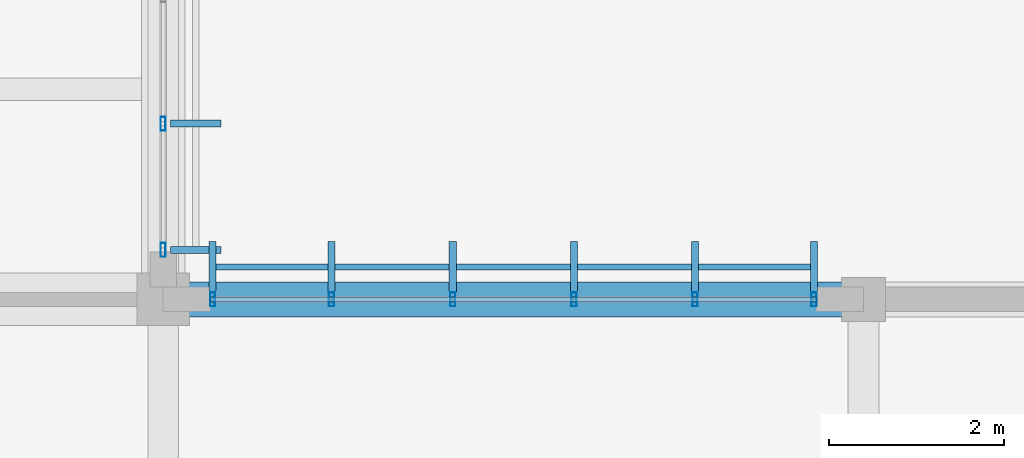
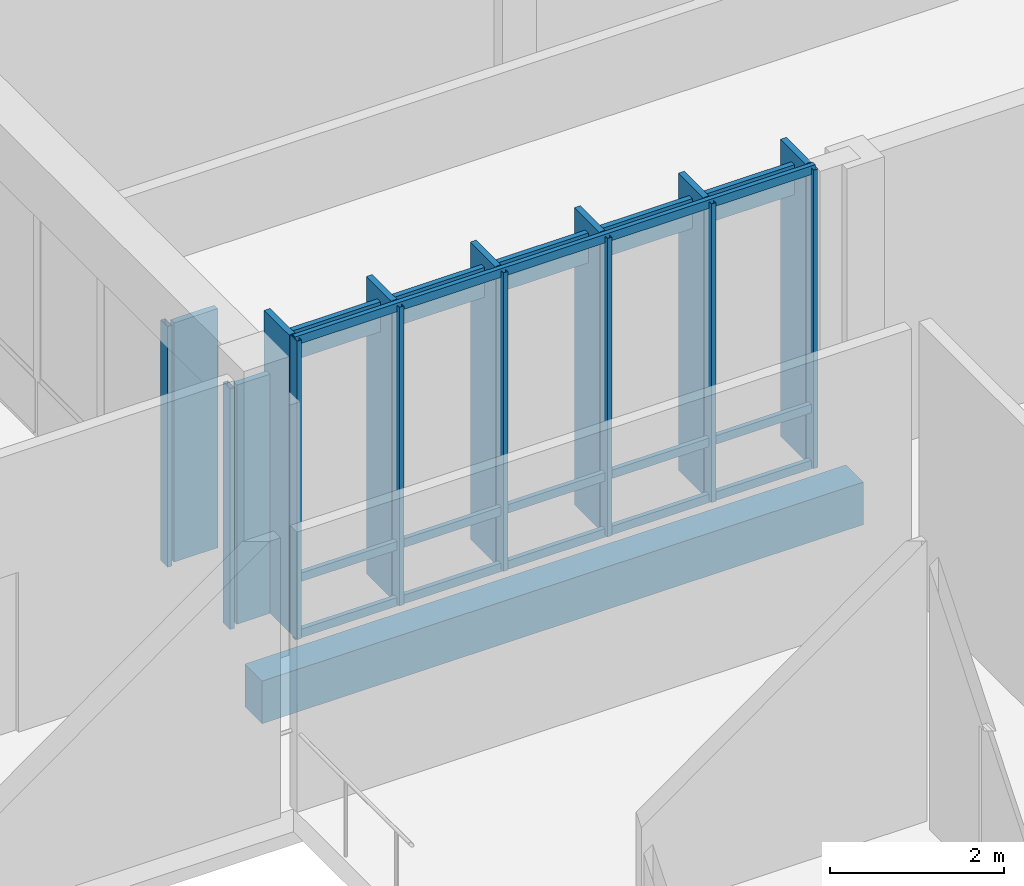
# One storey, part 23 of 182: 20 members, 1 beam, 2 elements without a shape of their own.
"""IFC4 building model written with IfcOpenShell, lengths in metres."""

import ifcopenshell
import ifcopenshell.guid

model = None  # the IFC model being written
_history = None  # IfcOwnerHistory: only IFC2X3 demands one
_inside = {}  # id of a spatial element -> (the spatial element, [elements in it])
_under = {}  # id of a project, library or spatial element -> (it, [spatial elements below it])
_declared = {}  # id of a project -> (the project, [libraries it declares])
_typed = {}  # id of a type object -> (the type object, [elements of that type])
_made_of = {}  # id of a material, layer set ... -> (it, [elements and type objects made of it])


def new_model(schema):
    """Start an empty IFC model of exactly this schema.

    Asked for "IFC4X3", IfcOpenShell would pick the latest addendum, in which some entities
    have other attributes; the version numbers below select the first issue.
    IFC2X3 requires an IfcOwnerHistory on every rooted entity: one is made here for all.
    """
    global model, _history
    if schema == "IFC4X3":
        model = ifcopenshell.file(schema_version=(4, 3, 0, 0))
    else:
        model = ifcopenshell.file(schema=schema)
    _inside.clear()
    _under.clear()
    _declared.clear()
    _typed.clear()
    _made_of.clear()
    _history = None
    if model.schema == "IFC2X3":
        org = make("IfcOrganization", Name="unknown")
        user = make(
            "IfcPersonAndOrganization",
            ThePerson=make("IfcPerson", FamilyName="unknown"),
            TheOrganization=org,
        )
        app = make(
            "IfcApplication",
            ApplicationDeveloper=org,
            Version="unknown",
            ApplicationFullName="unknown",
            ApplicationIdentifier="unknown",
        )
        _history = make(
            "IfcOwnerHistory",
            OwningUser=user,
            OwningApplication=app,
            ChangeAction="ADDED",
            CreationDate=0,
        )
    return model


def make(cls, **values):
    """One entity of the class cls with the attributes given. An attribute that is None is left unset."""
    return model.create_entity(
        cls, **{name: value for name, value in values.items() if value is not None}
    )


def rooted(cls, **values):
    """An entity with a GlobalId (a new one), such as an element, a storey or a relation."""
    return make(cls, GlobalId=ifcopenshell.guid.new(), OwnerHistory=_history, **values)


def si_unit(unit_type, name, prefix=None):
    """IfcSIUnit, for example si_unit("LENGTHUNIT", "METRE", prefix="MILLI")."""
    return make("IfcSIUnit", UnitType=unit_type, Prefix=prefix, Name=name)


def assignment(units):
    """IfcUnitAssignment: the units of a project."""
    return None if units is None else make("IfcUnitAssignment", Units=units)


def point(xyz):
    """IfcCartesianPoint."""
    return None if xyz is None else make("IfcCartesianPoint", Coordinates=xyz)


def direction(xyz):
    """IfcDirection."""
    return None if xyz is None else make("IfcDirection", DirectionRatios=xyz)


def frame(location, z_axis=None, x_axis=None):
    """IfcAxis2Placement3D, a coordinate frame: its origin and axes. An axis left out is left unset."""
    return make(
        "IfcAxis2Placement3D",
        Location=point(location),
        Axis=direction(z_axis),
        RefDirection=direction(x_axis),
    )


def frame_2d(location, x_axis=None):
    """IfcAxis2Placement2D, a coordinate frame in the plane: its origin and x axis."""
    return make(
        "IfcAxis2Placement2D", Location=point(location), RefDirection=direction(x_axis)
    )


def origin():
    """The frame at (0, 0, 0) with its axes left unset."""
    return frame((0.0, 0.0, 0.0))


def origin_2d():
    """The frame at (0, 0) in the plane with its x axis left unset."""
    return frame_2d((0.0, 0.0))


def place(relative_to, where):
    """IfcLocalPlacement: puts the frame where relative to a parent placement (None: the world)."""
    return make(
        "IfcLocalPlacement", PlacementRelTo=relative_to, RelativePlacement=where
    )


def context(
    kind, dimensions, precision=None, world=None, true_north=None, identifier=None
):
    """IfcGeometricRepresentationContext, for example the 3D "Model" context."""
    return make(
        "IfcGeometricRepresentationContext",
        ContextIdentifier=identifier,
        ContextType=kind,
        CoordinateSpaceDimension=dimensions,
        Precision=precision,
        WorldCoordinateSystem=world,
        TrueNorth=true_north,
    )


def subcontext(parent, identifier, kind, view, scale=None):
    """IfcGeometricRepresentationSubContext, for example "Body" below "Model"."""
    return make(
        "IfcGeometricRepresentationSubContext",
        ContextIdentifier=identifier,
        ContextType=kind,
        ParentContext=parent,
        TargetScale=scale,
        TargetView=view,
    )


def project(units=None, contexts=None):
    """IfcProject with its units and contexts."""
    return rooted(
        "IfcProject",
        Name="project",
        RepresentationContexts=contexts,
        UnitsInContext=assignment(units),
    )


def spatial(cls, under=None, at=None, **own):
    """A site, building, storey or space (cls), placed at a placement, below another one or the project."""
    s = rooted(cls, ObjectPlacement=at, **own)
    if under is not None:
        _under.setdefault(under.id(), (under, []))[1].append(s)
    return s


def profile(cls, at=None, kind="AREA", **sizes):
    """A parametric profile (cls). Its sizes go by their IFC names, for example OverallWidth=200.0."""
    return make(cls, ProfileType=kind, Position=at, **sizes)


def rectangle(**sizes):
    """IfcRectangleProfileDef."""
    return profile("IfcRectangleProfileDef", **sizes)


def hollow_rectangle(**sizes):
    """IfcRectangleHollowProfileDef."""
    return profile("IfcRectangleHollowProfileDef", **sizes)


def extrude(swept, where, along, depth):
    """IfcExtrudedAreaSolid: the profile swept, set in the frame where, extruded along a direction by depth."""
    return make(
        "IfcExtrudedAreaSolid",
        SweptArea=swept,
        Position=where,
        ExtrudedDirection=direction(along),
        Depth=depth,
    )


def shape(context_of_items, identifier, shape_type, items):
    """IfcShapeRepresentation: the items that make up one representation, for example the "Body"."""
    return make(
        "IfcShapeRepresentation",
        ContextOfItems=context_of_items,
        RepresentationIdentifier=identifier,
        RepresentationType=shape_type,
        Items=items,
    )


def material(Name=None, Category=None):
    """IfcMaterial."""
    return make("IfcMaterial", Name=Name, Category=Category)


def material_profile(
    of_material, cross_section, Name=None, Category=None, Priority=None
):
    """IfcMaterialProfile: a cross section and its material."""
    return make(
        "IfcMaterialProfile",
        Name=Name,
        Material=of_material,
        Profile=cross_section,
        Priority=Priority,
        Category=Category,
    )


def profile_set(profiles, Name=None, composite=None):
    """IfcMaterialProfileSet."""
    return make(
        "IfcMaterialProfileSet",
        Name=Name,
        MaterialProfiles=profiles,
        CompositeProfile=composite,
    )


def made_of(thing, what):
    """Note that an element or type object is made of a material, layer set ...; save() writes the relation."""
    if what is not None:
        _made_of.setdefault(what.id(), (what, []))[1].append(thing)
    return thing


def type_object(cls, material=None, **own):
    """A type object (cls), such as IfcWallType, which elements share."""
    return made_of(rooted(cls, **own), material)


def element(
    cls,
    number,
    at=None,
    inside=None,
    cuts=None,
    type_object=None,
    material=None,
    context=None,
    identifier="Body",
    shape_type=None,
    held_by="IfcProductDefinitionShape",
    body=None,
    shapes=None,
    **own,
):
    """One element of the class cls, such as IfcWall. Its Tag is "e" and its number.

    at: its placement. inside: the storey or other place that contains it. cuts: it is an
    opening in that element (IfcRelVoidsElement). A single representation is given by context,
    identifier, shape_type and body (its items); several are given by shapes. held_by: the class
    of the entity that holds the representations. save() writes the other relations.
    """
    e = rooted(cls, Tag="e%d" % number, ObjectPlacement=at, **own)
    if body is not None:
        shapes = [shape(context, identifier, shape_type, body)]
    if shapes is not None:
        e.Representation = make(held_by, Representations=shapes)
    if inside is not None:
        _inside.setdefault(inside.id(), (inside, []))[1].append(e)
    if cuts is not None:
        rooted(
            "IfcRelVoidsElement", RelatingBuildingElement=cuts, RelatedOpeningElement=e
        )
    if type_object is not None:
        _typed.setdefault(type_object.id(), (type_object, []))[1].append(e)
    return made_of(e, material)


def aggregate(whole, parts):
    """IfcRelAggregates: a whole, such as a stair, and the parts it consists of."""
    return rooted("IfcRelAggregates", RelatingObject=whole, RelatedObjects=parts)


def save(model, path):
    """Write the relations noted so far, then the file.

    IfcRelAggregates (storeys below a building ...), IfcRelContainedInSpatialStructure (elements
    in a storey), IfcRelDefinesByType, IfcRelAssociatesMaterial and IfcRelDeclares: one each for
    every whole, place, type object, material and project.
    """
    for whole, parts in _under.values():
        aggregate(whole, parts)
    for where, things in _inside.values():
        rooted(
            "IfcRelContainedInSpatialStructure",
            RelatedElements=things,
            RelatingStructure=where,
        )
    for kind, things in _typed.values():
        rooted("IfcRelDefinesByType", RelatedObjects=things, RelatingType=kind)
    for what, things in _made_of.values():
        rooted("IfcRelAssociatesMaterial", RelatedObjects=things, RelatingMaterial=what)
    for by, libraries in _declared.values():
        rooted("IfcRelDeclares", RelatingContext=by, RelatedDefinitions=libraries)
    model.write(path)


model = new_model("IFC4")

# Units and contexts
model_context = context("Model", 3, precision=1e-05, world=origin(), true_north=direction((0.0, 1.0)))
body_context = subcontext(model_context, "Body", "Model", "MODEL_VIEW")
ifc_project = project(units=[si_unit("LENGTHUNIT", "METRE"), si_unit("AREAUNIT", "SQUARE_METRE"), si_unit("VOLUMEUNIT", "CUBIC_METRE"), si_unit("PLANEANGLEUNIT", "RADIAN"), si_unit("MASSUNIT", "GRAM", prefix="KILO")], contexts=[model_context])

# Site, building, storey
site_placement = place(None, origin())
site = spatial("IfcSite", under=ifc_project, at=site_placement, CompositionType="ELEMENT")
building_placement = place(site_placement, origin())
building = spatial("IfcBuilding", under=site, at=building_placement, Name="Chiffa Square Polytechnic", CompositionType="ELEMENT")
storey_placement = place(building_placement, frame((0.0, 0.0, 9.60009765625)))
storey = spatial("IfcBuildingStorey", under=building, at=storey_placement, Name="L02", CompositionType="ELEMENT", Elevation=9.60009765625)

# Beam
ifc_material_1 = material(Name="Concrete C35/45", Category="concrete")
ifc_material_profile_1 = material_profile(ifc_material_1, rectangle(XDim=0.39990234375, YDim=0.60009765625, at=origin_2d()), Name="RC 400x600")
ifc_profile_set_1 = profile_set([ifc_material_profile_1], Name="Concrete C35/45")
beam_type = type_object("IfcBeamType", Name="BM-RC-400X600", PredefinedType="BEAM", material=ifc_profile_set_1)
beam_placement = place(storey_placement, frame((24.0, 28.800048828125, -0.6201171875), z_axis=(1.0, 0.0, 0.0), x_axis=(0.0, 1.0, 0.0)))
element("IfcBeam", 1, at=beam_placement, inside=storey, type_object=beam_type, Name="Primary floor girder BM-V3-L02-X-0240-0288", PredefinedType="BEAM", context=body_context, shape_type="SweptSolid", body=[
    extrude(rectangle(XDim=0.39990234375, YDim=0.60009765625, at=origin_2d()), origin(), (0.0, 0.0, 1.0), 8.0),
])

# Curtain wall, members
ifc_material_2 = material(Name="Aluminium EN AW-6060 T66 and glulam shading", Category="wood")
curtain_wall_type_1 = type_object("IfcCurtainWallType", Name="CW-VERT-600X380", PredefinedType="USERDEFINED", material=ifc_material_2)
curtain_wall_1_placement = place(storey_placement, origin())
curtain_wall_1 = element("IfcCurtainWall", 2, at=curtain_wall_1_placement, inside=storey, type_object=curtain_wall_type_1, Name="Curtain wall CW-V3-L02-172", ObjectType="CURTAIN WALL", PredefinedType="USERDEFINED")
ifc_material_3 = material(Name="Aluminium EN AW-6060 T66", Category="aluminium")
ifc_material_profile_2 = material_profile(ifc_material_3, hollow_rectangle(XDim=0.06005859375, YDim=0.159912109375, WallThickness=0.00390625, at=origin_2d()), Name="ALU 60x160x4")
ifc_profile_set_2 = profile_set([ifc_material_profile_2], Name="Aluminium EN AW-6060 T66")
member_type_1 = type_object("IfcMemberType", Name="CWM-ALU-65X150", PredefinedType="MULLION", material=ifc_profile_set_2)
member_1_placement = place(storey_placement, frame((31.43505859375, 28.800048828125, 0.0), z_axis=(0.0, 0.0, 1.0), x_axis=(1.0, 0.0, 0.0)))
member_1 = element("IfcMember", 3, at=member_1_placement, type_object=member_type_1, Name="Curtain wall mullion CW-V3-L02-172-M00", PredefinedType="MULLION", context=body_context, shape_type="SweptSolid", body=[
    extrude(hollow_rectangle(XDim=0.06005859375, YDim=0.159912109375, WallThickness=0.00390625, at=origin_2d()), origin(), (0.0, 0.0, 1.0), 4.199951171875),
])
member_2_placement = place(storey_placement, frame((30.075927734375, 28.800048828125, 0.0), z_axis=(0.0, 0.0, 1.0), x_axis=(1.0, 0.0, 0.0)))
member_2 = element("IfcMember", 4, at=member_2_placement, type_object=member_type_1, Name="Curtain wall mullion CW-V3-L02-172-M01", PredefinedType="MULLION", context=body_context, shape_type="SweptSolid", body=[
    extrude(hollow_rectangle(XDim=0.06005859375, YDim=0.159912109375, WallThickness=0.00390625, at=origin_2d()), origin(), (0.0, 0.0, 1.0), 4.199951171875),
])
member_3_placement = place(storey_placement, frame((28.69189453125, 28.800048828125, 0.0), z_axis=(0.0, 0.0, 1.0), x_axis=(1.0, 0.0, 0.0)))
member_3 = element("IfcMember", 5, at=member_3_placement, type_object=member_type_1, Name="Curtain wall mullion CW-V3-L02-172-M02", PredefinedType="MULLION", context=body_context, shape_type="SweptSolid", body=[
    extrude(hollow_rectangle(XDim=0.06005859375, YDim=0.159912109375, WallThickness=0.00390625, at=origin_2d()), origin(), (0.0, 0.0, 1.0), 4.199951171875),
])
member_4_placement = place(storey_placement, frame((27.30810546875, 28.800048828125, 0.0), z_axis=(0.0, 0.0, 1.0), x_axis=(1.0, 0.0, 0.0)))
member_4 = element("IfcMember", 6, at=member_4_placement, type_object=member_type_1, Name="Curtain wall mullion CW-V3-L02-172-M03", PredefinedType="MULLION", context=body_context, shape_type="SweptSolid", body=[
    extrude(hollow_rectangle(XDim=0.06005859375, YDim=0.159912109375, WallThickness=0.00390625, at=origin_2d()), origin(), (0.0, 0.0, 1.0), 4.199951171875),
])
member_5_placement = place(storey_placement, frame((25.924072265625, 28.800048828125, 0.0), z_axis=(0.0, 0.0, 1.0), x_axis=(1.0, 0.0, 0.0)))
member_5 = element("IfcMember", 7, at=member_5_placement, type_object=member_type_1, Name="Curtain wall mullion CW-V3-L02-172-M04", PredefinedType="MULLION", context=body_context, shape_type="SweptSolid", body=[
    extrude(hollow_rectangle(XDim=0.06005859375, YDim=0.159912109375, WallThickness=0.00390625, at=origin_2d()), origin(), (0.0, 0.0, 1.0), 4.199951171875),
])
member_6_placement = place(storey_placement, frame((24.56494140625, 28.800048828125, 0.0), z_axis=(0.0, 0.0, 1.0), x_axis=(1.0, 0.0, 0.0)))
member_6 = element("IfcMember", 8, at=member_6_placement, type_object=member_type_1, Name="Curtain wall mullion CW-V3-L02-172-M05", PredefinedType="MULLION", context=body_context, shape_type="SweptSolid", body=[
    extrude(hollow_rectangle(XDim=0.06005859375, YDim=0.159912109375, WallThickness=0.00390625, at=origin_2d()), origin(), (0.0, 0.0, 1.0), 4.199951171875),
])

curtain_wall_type_2 = type_object("IfcCurtainWallType", Name="CW-VERT-360X380", PredefinedType="USERDEFINED", material=ifc_material_2)
curtain_wall_2_placement = place(storey_placement, origin())
curtain_wall_2 = element("IfcCurtainWall", 9, at=curtain_wall_2_placement, inside=storey, type_object=curtain_wall_type_2, Name="Curtain wall CW-V3-L02-173", ObjectType="CURTAIN WALL", PredefinedType="USERDEFINED")
member_7_placement = place(storey_placement, frame((24.0, 29.364990234375, 0.0), z_axis=(0.0, 0.0, 1.0), x_axis=(1.0, 0.0, 0.0)))
member_7 = element("IfcMember", 10, at=member_7_placement, type_object=member_type_1, Name="Curtain wall mullion CW-V3-L02-173-M00", PredefinedType="MULLION", context=body_context, shape_type="SweptSolid", body=[
    extrude(hollow_rectangle(XDim=0.06005859375, YDim=0.159912109375, WallThickness=0.00390625, at=origin_2d()), origin(), (0.0, 0.0, 1.0), 3.385009765625),
])
member_8_placement = place(storey_placement, frame((24.0, 30.80810546875, 0.0), z_axis=(0.0, 0.0, 1.0), x_axis=(1.0, 0.0, 0.0)))
member_8 = element("IfcMember", 11, at=member_8_placement, type_object=member_type_1, Name="Curtain wall mullion CW-V3-L02-173-M01", PredefinedType="MULLION", context=body_context, shape_type="SweptSolid", body=[
    extrude(hollow_rectangle(XDim=0.06005859375, YDim=0.159912109375, WallThickness=0.00390625, at=origin_2d()), origin(), (0.0, 0.0, 1.0), 3.385009765625),
])

# Member
ifc_material_4 = material(Name="Glulam GL28h", Category="wood")
ifc_material_profile_3 = material_profile(ifc_material_4, rectangle(XDim=0.080078125, YDim=0.580078125, at=origin_2d()), Name="GL28h 80x580")
ifc_profile_set_3 = profile_set([ifc_material_profile_3], Name="Glulam GL28h")
member_type_2 = type_object("IfcMemberType", Name="CWM-GL-80X580", PredefinedType="MULLION", material=ifc_profile_set_3)
member_9_placement = place(storey_placement, frame((31.43505859375, 29.172119140625, 0.010009765625), z_axis=(0.0, 0.0, 1.0), x_axis=(-1.0, 0.0, 0.0)))
member_9 = element("IfcMember", 12, at=member_9_placement, type_object=member_type_2, Name="Exterior glulam solar fin CW-V3-L02-172-FN00", PredefinedType="MULLION", context=body_context, shape_type="SweptSolid", body=[
    extrude(rectangle(XDim=0.080078125, YDim=0.580078125, at=origin_2d()), origin(), (0.0, 0.0, 1.0), 4.179931640625),
])

member_10_placement = place(storey_placement, frame((30.075927734375, 29.172119140625, 0.010009765625), z_axis=(0.0, 0.0, 1.0), x_axis=(-1.0, 0.0, 0.0)))
member_10 = element("IfcMember", 13, at=member_10_placement, type_object=member_type_2, Name="Exterior glulam solar fin CW-V3-L02-172-FN01", PredefinedType="MULLION", context=body_context, shape_type="SweptSolid", body=[
    extrude(rectangle(XDim=0.080078125, YDim=0.580078125, at=origin_2d()), origin(), (0.0, 0.0, 1.0), 4.179931640625),
])

member_11_placement = place(storey_placement, frame((28.69189453125, 29.172119140625, 0.010009765625), z_axis=(0.0, 0.0, 1.0), x_axis=(-1.0, 0.0, 0.0)))
member_11 = element("IfcMember", 14, at=member_11_placement, type_object=member_type_2, Name="Exterior glulam solar fin CW-V3-L02-172-FN02", PredefinedType="MULLION", context=body_context, shape_type="SweptSolid", body=[
    extrude(rectangle(XDim=0.080078125, YDim=0.580078125, at=origin_2d()), origin(), (0.0, 0.0, 1.0), 4.179931640625),
])

member_12_placement = place(storey_placement, frame((27.30810546875, 29.172119140625, 0.010009765625), z_axis=(0.0, 0.0, 1.0), x_axis=(-1.0, 0.0, 0.0)))
member_12 = element("IfcMember", 15, at=member_12_placement, type_object=member_type_2, Name="Exterior glulam solar fin CW-V3-L02-172-FN03", PredefinedType="MULLION", context=body_context, shape_type="SweptSolid", body=[
    extrude(rectangle(XDim=0.080078125, YDim=0.580078125, at=origin_2d()), origin(), (0.0, 0.0, 1.0), 4.179931640625),
])

member_13_placement = place(storey_placement, frame((25.924072265625, 29.172119140625, 0.010009765625), z_axis=(0.0, 0.0, 1.0), x_axis=(-1.0, 0.0, 0.0)))
member_13 = element("IfcMember", 16, at=member_13_placement, type_object=member_type_2, Name="Exterior glulam solar fin CW-V3-L02-172-FN04", PredefinedType="MULLION", context=body_context, shape_type="SweptSolid", body=[
    extrude(rectangle(XDim=0.080078125, YDim=0.580078125, at=origin_2d()), origin(), (0.0, 0.0, 1.0), 4.179931640625),
])

member_14_placement = place(storey_placement, frame((24.56494140625, 29.172119140625, 0.010009765625), z_axis=(0.0, 0.0, 1.0), x_axis=(-1.0, 0.0, 0.0)))
member_14 = element("IfcMember", 17, at=member_14_placement, type_object=member_type_2, Name="Exterior glulam solar fin CW-V3-L02-172-FN05", PredefinedType="MULLION", context=body_context, shape_type="SweptSolid", body=[
    extrude(rectangle(XDim=0.080078125, YDim=0.580078125, at=origin_2d()), origin(), (0.0, 0.0, 1.0), 4.179931640625),
])

member_15_placement = place(storey_placement, frame((24.3720703125, 29.364990234375, 0.010009765625), z_axis=(0.0, 0.0, 1.0), x_axis=(0.0, 1.0, 0.0)))
member_15 = element("IfcMember", 18, at=member_15_placement, type_object=member_type_2, Name="Exterior glulam solar fin CW-V3-L02-173-FN00", PredefinedType="MULLION", context=body_context, shape_type="SweptSolid", body=[
    extrude(rectangle(XDim=0.080078125, YDim=0.580078125, at=origin_2d()), origin(), (0.0, 0.0, 1.0), 3.364990234375),
])

member_16_placement = place(storey_placement, frame((24.3720703125, 30.80810546875, 0.010009765625), z_axis=(0.0, 0.0, 1.0), x_axis=(0.0, 1.0, 0.0)))
member_16 = element("IfcMember", 19, at=member_16_placement, type_object=member_type_2, Name="Exterior glulam solar fin CW-V3-L02-173-FN01", PredefinedType="MULLION", context=body_context, shape_type="SweptSolid", body=[
    extrude(rectangle(XDim=0.080078125, YDim=0.580078125, at=origin_2d()), origin(), (0.0, 0.0, 1.0), 3.364990234375),
])

aggregate(curtain_wall_2, [member_7, member_15, member_8, member_16])

ifc_material_profile_4 = material_profile(ifc_material_3, hollow_rectangle(XDim=0.06005859375, YDim=0.1201171875, WallThickness=0.00390625, at=origin_2d()), Name="ALU 60x120x4")
ifc_profile_set_4 = profile_set([ifc_material_profile_4], Name="Aluminium EN AW-6060 T66")
member_type_3 = type_object("IfcMemberType", Name="CWT-ALU-65X120", PredefinedType="USERDEFINED", material=ifc_profile_set_4)
member_17_placement = place(storey_placement, frame((31.4619140625, 28.800048828125, 0.02978515625), z_axis=(-1.0, 0.0, 0.0), x_axis=(0.0, -1.0, 0.0)))
member_17 = element("IfcMember", 20, at=member_17_placement, type_object=member_type_3, Name="Curtain wall transom CW-V3-L02-172-T01", ObjectType="TRANSOM", PredefinedType="USERDEFINED", context=body_context, shape_type="SweptSolid", body=[
    extrude(hollow_rectangle(XDim=0.06005859375, YDim=0.1201171875, WallThickness=0.00390625, at=origin_2d()), origin(), (0.0, 0.0, 1.0), 6.923828125),
])

member_18_placement = place(storey_placement, frame((31.4619140625, 28.800048828125, 0.81982421875), z_axis=(-1.0, 0.0, 0.0), x_axis=(0.0, -1.0, 0.0)))
member_18 = element("IfcMember", 21, at=member_18_placement, type_object=member_type_3, Name="Curtain wall transom CW-V3-L02-172-T02", ObjectType="TRANSOM", PredefinedType="USERDEFINED", context=body_context, shape_type="SweptSolid", body=[
    extrude(hollow_rectangle(XDim=0.06005859375, YDim=0.1201171875, WallThickness=0.00390625, at=origin_2d()), origin(), (0.0, 0.0, 1.0), 6.923828125),
])

member_19_placement = place(storey_placement, frame((31.4619140625, 28.800048828125, 4.169921875), z_axis=(-1.0, 0.0, 0.0), x_axis=(0.0, -1.0, 0.0)))
member_19 = element("IfcMember", 22, at=member_19_placement, type_object=member_type_3, Name="Curtain wall transom CW-V3-L02-172-T03", ObjectType="TRANSOM", PredefinedType="USERDEFINED", context=body_context, shape_type="SweptSolid", body=[
    extrude(hollow_rectangle(XDim=0.06005859375, YDim=0.1201171875, WallThickness=0.00390625, at=origin_2d()), origin(), (0.0, 0.0, 1.0), 6.923828125),
])

ifc_material_profile_5 = material_profile(ifc_material_4, rectangle(XDim=0.070068359375, YDim=0.419921875, at=origin_2d()), Name="GL28h 70x420")
ifc_profile_set_5 = profile_set([ifc_material_profile_5], Name="Glulam GL28h")
member_type_4 = type_object("IfcMemberType", Name="CWT-GL-70X420", PredefinedType="USERDEFINED", material=ifc_profile_set_5)
member_20_placement = place(storey_placement, frame((31.43505859375, 29.172119140625, 3.81982421875), z_axis=(-1.0, 0.0, 0.0), x_axis=(0.0, -1.0, 0.0)))
member_20 = element("IfcMember", 23, at=member_20_placement, type_object=member_type_4, Name="Exterior glulam brise-soleil CW-V3-L02-172-BS01", ObjectType="TRANSOM", PredefinedType="USERDEFINED", context=body_context, shape_type="SweptSolid", body=[
    extrude(rectangle(XDim=0.070068359375, YDim=0.419921875, at=origin_2d()), origin(), (0.0, 0.0, 1.0), 6.8701171875),
])

aggregate(curtain_wall_1, [member_1, member_9, member_2, member_10, member_3, member_11, member_4, member_12, member_5, member_13, member_6, member_14, member_17, member_18, member_19, member_20])

save(model, "model.ifc")
